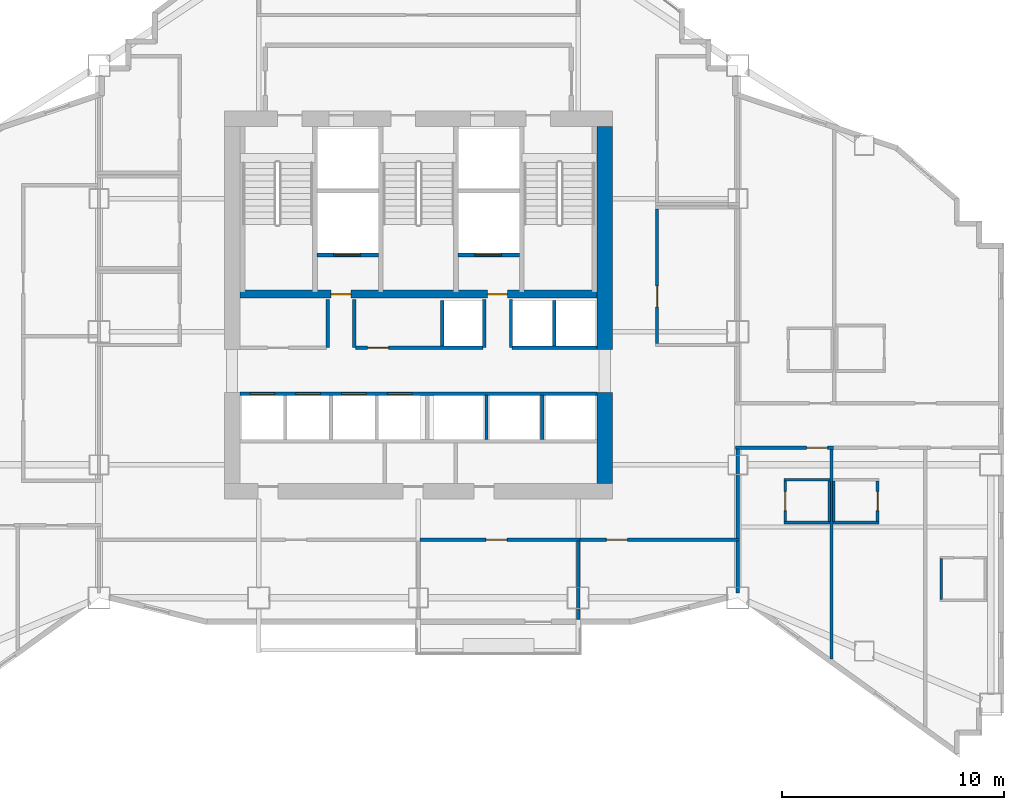
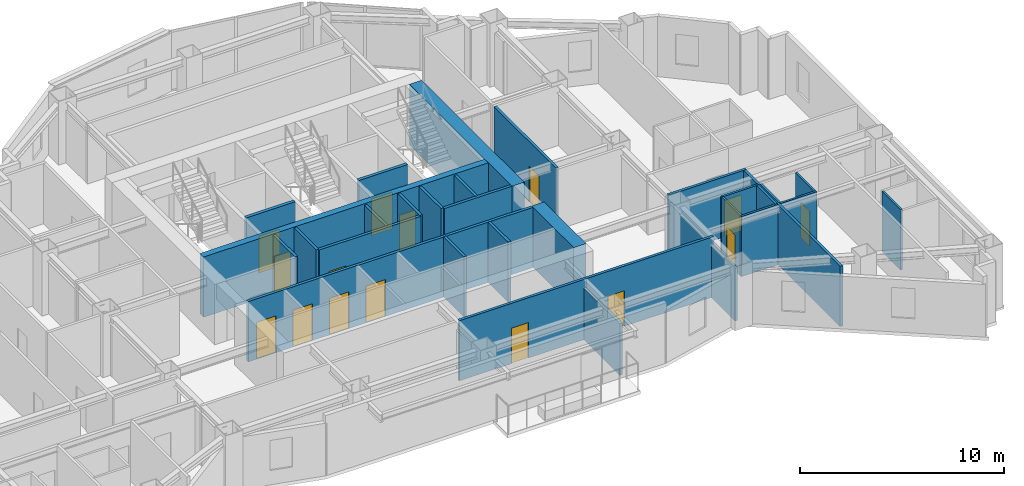
# One storey, part 9 of 14: 32 walls, 15 doors, 15 openings.
"""IFC4 building model written with IfcOpenShell, lengths in metres."""

from ifc_helpers import new_model, si_unit, direction, frame, frame_2d, origin, place, context, subcontext, project, spatial, rectangle, extrude, material, layer, layer_set, type_object, element, fill, save


model = new_model("IFC4")

# Units and contexts
model_context = context("Model", 3, precision=1e-05, world=origin(), true_north=direction((0.0, 1.0)))
body_context = subcontext(model_context, "Body", "Model", "MODEL_VIEW")
ifc_project = project(units=[si_unit("LENGTHUNIT", "METRE"), si_unit("AREAUNIT", "SQUARE_METRE"), si_unit("VOLUMEUNIT", "CUBIC_METRE"), si_unit("PLANEANGLEUNIT", "RADIAN"), si_unit("MASSUNIT", "GRAM", prefix="KILO")], contexts=[model_context])

# Site, building, storey
site_placement = place(None, origin())
site = spatial("IfcSite", under=ifc_project, at=site_placement, CompositionType="ELEMENT")
building_placement = place(site_placement, origin())
building = spatial("IfcBuilding", under=site, at=building_placement, Name="Haolan Belvedere Tower", CompositionType="ELEMENT")
storey_placement = place(building_placement, frame((0.0, 0.0, 141.0)))
storey = spatial("IfcBuildingStorey", under=building, at=storey_placement, Name="L35", CompositionType="ELEMENT", Elevation=141.0)

# Walls
ifc_material_1 = material(Name="Concrete C60/75", Category="concrete")
ifc_layer_1 = layer(ifc_material_1, 0.699951171875, Name="Concrete C60/75")
ifc_layer_set_1 = layer_set([ifc_layer_1], Name="Concrete C60/75")
wall_type_1 = type_object("IfcWallType", Name="WL-CORE-700", PredefinedType="SHEAR", material=ifc_layer_set_1)
wall_1_placement = place(storey_placement, frame((46.800048828125, 26.75, 0.0), z_axis=(0.0, 0.0, 1.0), x_axis=(0.0, 1.0, 0.0)))
element("IfcWall", 1, at=wall_1_placement, inside=storey, type_object=wall_type_1, Name="L35 central core shear wall ES", PredefinedType="SHEAR", context=body_context, shape_type="SweptSolid", body=[
    extrude(rectangle(XDim=4.10009765625, YDim=0.699951171875, at=frame_2d((2.050048828125, 0.0))), origin(), (0.0, 0.0, 1.0), 3.60009765625),
])
wall_2_placement = place(storey_placement, frame((46.800048828125, 32.800048828125, 0.0), z_axis=(0.0, 0.0, 1.0), x_axis=(0.0, 1.0, 0.0)))
element("IfcWall", 2, at=wall_2_placement, inside=storey, type_object=wall_type_1, Name="L35 central core shear wall EN", PredefinedType="SHEAR", context=body_context, shape_type="SweptSolid", body=[
    extrude(rectangle(XDim=10.050048828125, YDim=0.699951171875, at=frame_2d((5.02490234375, 0.0))), origin(), (0.0, 0.0, 1.0), 3.60009765625),
])

# Wall, opening, door
ifc_material_2 = material(Name="Double gypsum acoustic stud partition", Category="masonry")
ifc_layer_2 = layer(ifc_material_2, 0.14990234375, Name="Double gypsum acoustic stud partition")
ifc_layer_set_2 = layer_set([ifc_layer_2], Name="Double gypsum acoustic stud partition")
wall_type_2 = type_object("IfcWallType", Name="WL-PART-150", PredefinedType="PARTITIONING", material=ifc_layer_set_2)
wall_3_placement = place(storey_placement, frame((49.159912109375, 33.06005859375, 0.0), z_axis=(0.0, 0.0, 1.0), x_axis=(0.0, 1.0, 0.0)))
wall_3 = element("IfcWall", 3, at=wall_3_placement, inside=storey, type_object=wall_type_2, Name="L35 interior partition IW-L35-HSK-W", PredefinedType="PARTITIONING", context=body_context, shape_type="SweptSolid", body=[
    extrude(rectangle(XDim=6.079833984375, YDim=0.14990234375, at=frame_2d((3.0400390625, 0.0))), origin(), (0.0, 0.0, 1.0), 3.60009765625),
])
opening_1_placement = place(wall_3_placement, frame((1.659912109375, 0.0, 0.0)))
opening_1 = element("IfcOpeningElement", 4, at=opening_1_placement, cuts=wall_3, Name="Opening ID-03", PredefinedType="OPENING", context=body_context, shape_type="SweptSolid", body=[
    extrude(rectangle(XDim=0.949951171875, YDim=2.1201171875, at=frame_2d((0.47509765625, 1.06005859375))), frame((0.0, 0.0849609375, 0.0), z_axis=(0.0, -1.0, 0.0), x_axis=(1.0, 0.0, 0.0)), (0.0, 0.0, 1.0), 0.169921875),
])
ifc_material_3 = material(Name="Painted solid-core timber", Category="wood")
door_type_1 = type_object("IfcDoorType", Name="DR-INT-950", OperationType="NOTDEFINED", PredefinedType="DOOR", material=ifc_material_3)
door_1_placement = place(opening_1_placement, origin())
door_1 = element("IfcDoor", 5, at=door_1_placement, inside=storey, type_object=door_type_1, Name="L35 door ID-L35-HSK", OperationType="SINGLE_SWING_RIGHT", OverallHeight=2.1201171875, OverallWidth=0.949951171875, PredefinedType="DOOR", context=body_context, shape_type="SweptSolid", body=[
    extrude(rectangle(XDim=0.949951171875, YDim=2.1201171875, at=frame_2d((0.47509765625, 1.06005859375))), frame((0.0, 0.02490234375, 0.0), z_axis=(0.0, -1.0, 0.0), x_axis=(1.0, 0.0, 0.0)), (0.0, 0.0, 1.0), 0.050048828125),
])
fill(opening_1, door_1)

wall_4_placement = place(storey_placement, frame((38.48193359375, 24.219970703125, 0.0), z_axis=(0.0, 0.0, 1.0), x_axis=(1.0, 0.0, 0.0)))
wall_4 = element("IfcWall", 6, at=wall_4_placement, inside=storey, type_object=wall_type_2, Name="L35 interior partition IW-L35-KS2-N", PredefinedType="PARTITIONING", context=body_context, shape_type="SweptSolid", body=[
    extrude(rectangle(XDim=7.197998046875, YDim=0.14990234375, at=frame_2d((3.59912109375, 0.0))), origin(), (0.0, 0.0, 1.0), 3.60009765625),
])
opening_2_placement = place(wall_4_placement, frame((3.912841796875, 0.0, 0.0), z_axis=(0.0, 0.0, 1.0), x_axis=(-1.0, 0.0, 0.0)))
opening_2 = element("IfcOpeningElement", 7, at=opening_2_placement, cuts=wall_4, Name="Opening ID-03", PredefinedType="OPENING", context=body_context, shape_type="SweptSolid", body=[
    extrude(rectangle(XDim=0.949951171875, YDim=2.1201171875, at=frame_2d((0.47509765625, 1.06005859375))), frame((0.0, 0.0849609375, 0.0), z_axis=(0.0, -1.0, 0.0), x_axis=(1.0, 0.0, 0.0)), (0.0, 0.0, 1.0), 0.169921875),
])
door_2_placement = place(opening_2_placement, origin())
door_2 = element("IfcDoor", 8, at=door_2_placement, inside=storey, type_object=door_type_1, Name="L35 door ID-L35-KS2", OperationType="SINGLE_SWING_RIGHT", OverallHeight=2.1201171875, OverallWidth=0.949951171875, PredefinedType="DOOR", context=body_context, shape_type="SweptSolid", body=[
    extrude(rectangle(XDim=0.949951171875, YDim=2.1201171875, at=frame_2d((0.47509765625, 1.06005859375))), frame((0.0, 0.02490234375, 0.0), z_axis=(0.0, -1.0, 0.0), x_axis=(1.0, 0.0, 0.0)), (0.0, 0.0, 1.0), 0.050048828125),
])
fill(opening_2, door_2)

# Wall
wall_5_placement = place(storey_placement, frame((45.60009765625, 20.625, 0.0), z_axis=(0.0, 0.0, 1.0), x_axis=(0.0, 1.0, 0.0)))
element("IfcWall", 9, at=wall_5_placement, inside=storey, type_object=wall_type_2, Name="L35 interior partition IW-L35-KS2-E", PredefinedType="PARTITIONING", context=body_context, shape_type="SweptSolid", body=[
    extrude(rectangle(XDim=3.534912109375, YDim=0.14990234375, at=frame_2d((1.767578125, 0.0))), origin(), (0.0, 0.0, 1.0), 3.0849609375),
])

# Wall, opening, door
wall_6_placement = place(storey_placement, frame((45.681884765625, 24.219970703125, 0.0), z_axis=(0.0, 0.0, 1.0), x_axis=(1.0, 0.0, 0.0)))
wall_6 = element("IfcWall", 10, at=wall_6_placement, inside=storey, type_object=wall_type_2, Name="L35 interior partition IW-L35-KS3-N", PredefinedType="PARTITIONING", context=body_context, shape_type="SweptSolid", body=[
    extrude(rectangle(XDim=7.197998046875, YDim=0.14990234375, at=frame_2d((3.59912109375, 0.0))), origin(), (0.0, 0.0, 1.0), 3.60009765625),
])
opening_3_placement = place(wall_6_placement, frame((2.14306640625, 0.0, 0.0), z_axis=(0.0, 0.0, 1.0), x_axis=(-1.0, 0.0, 0.0)))
opening_3 = element("IfcOpeningElement", 11, at=opening_3_placement, cuts=wall_6, Name="Opening ID-03", PredefinedType="OPENING", context=body_context, shape_type="SweptSolid", body=[
    extrude(rectangle(XDim=0.949951171875, YDim=2.1201171875, at=frame_2d((0.47509765625, 1.06005859375))), frame((0.0, 0.0849609375, 0.0), z_axis=(0.0, -1.0, 0.0), x_axis=(1.0, 0.0, 0.0)), (0.0, 0.0, 1.0), 0.169921875),
])
door_3_placement = place(opening_3_placement, origin())
door_3 = element("IfcDoor", 12, at=door_3_placement, inside=storey, type_object=door_type_1, Name="L35 door ID-L35-KS3", OperationType="SINGLE_SWING_LEFT", OverallHeight=2.1201171875, OverallWidth=0.949951171875, PredefinedType="DOOR", context=body_context, shape_type="SweptSolid", body=[
    extrude(rectangle(XDim=0.949951171875, YDim=2.1201171875, at=frame_2d((0.47509765625, 1.06005859375))), frame((0.0, 0.02490234375, 0.0), z_axis=(0.0, -1.0, 0.0), x_axis=(1.0, 0.0, 0.0)), (0.0, 0.0, 1.0), 0.050048828125),
])
fill(opening_3, door_3)

# Wall
wall_7_placement = place(storey_placement, frame((52.800048828125, 21.818603515625, 0.0), z_axis=(0.0, 0.0, 1.0), x_axis=(0.0, 1.0, 0.0)))
element("IfcWall", 13, at=wall_7_placement, inside=storey, type_object=wall_type_2, Name="L35 interior partition IW-L35-KS3-E", PredefinedType="PARTITIONING", context=body_context, shape_type="SweptSolid", body=[
    extrude(rectangle(XDim=2.34130859375, YDim=0.14990234375, at=frame_2d((1.170654296875, 0.0))), origin(), (0.0, 0.0, 1.0), 3.14501953125),
])

# Wall, opening, door
wall_8_placement = place(storey_placement, frame((52.699951171875, 28.3701171875, 0.0), z_axis=(0.0, 0.0, 1.0), x_axis=(1.0, 0.0, 0.0)))
wall_8 = element("IfcWall", 14, at=wall_8_placement, inside=storey, type_object=wall_type_2, Name="L35 interior partition IW-L35-T4S1-N", PredefinedType="PARTITIONING", context=body_context, shape_type="SweptSolid", body=[
    extrude(rectangle(XDim=4.420166015625, YDim=0.14990234375, at=frame_2d((2.2099609375, 0.0))), origin(), (0.0, 0.0, 1.0), 3.60009765625),
])
opening_4_placement = place(wall_8_placement, frame((4.1474609375, 0.0, 0.0), z_axis=(0.0, 0.0, 1.0), x_axis=(-1.0, 0.0, 0.0)))
opening_4 = element("IfcOpeningElement", 15, at=opening_4_placement, cuts=wall_8, Name="Opening ID-02", PredefinedType="OPENING", context=body_context, shape_type="SweptSolid", body=[
    extrude(rectangle(XDim=0.949951171875, YDim=2.14990234375, at=frame_2d((0.47509765625, 1.074951171875))), frame((0.0, 0.0849609375, 0.0), z_axis=(0.0, -1.0, 0.0), x_axis=(1.0, 0.0, 0.0)), (0.0, 0.0, 1.0), 0.169921875),
])
ifc_material_4 = material(Name="Acoustic oak veneer fire-rated timber", Category="wood")
door_type_2 = type_object("IfcDoorType", Name="DR-GUEST-950", OperationType="NOTDEFINED", PredefinedType="DOOR", material=ifc_material_4)
door_4_placement = place(opening_4_placement, origin())
door_4 = element("IfcDoor", 16, at=door_4_placement, inside=storey, type_object=door_type_2, Name="L35 door ID-L35-T4S1-ENT", OperationType="SINGLE_SWING_RIGHT", OverallHeight=2.14990234375, OverallWidth=0.949951171875, PredefinedType="DOOR", context=body_context, shape_type="SweptSolid", body=[
    extrude(rectangle(XDim=0.949951171875, YDim=2.14990234375, at=frame_2d((0.47509765625, 1.074951171875))), frame((0.0, 0.02490234375, 0.0), z_axis=(0.0, -1.0, 0.0), x_axis=(1.0, 0.0, 0.0)), (0.0, 0.0, 1.0), 0.050048828125),
])
fill(opening_4, door_4)

# Walls
wall_9_placement = place(storey_placement, frame((52.800048828125, 24.280029296875, 0.0), z_axis=(0.0, 0.0, 1.0), x_axis=(0.0, 1.0, 0.0)))
element("IfcWall", 17, at=wall_9_placement, inside=storey, type_object=wall_type_2, Name="L35 interior partition IW-L35-T4S1-W", PredefinedType="PARTITIONING", context=body_context, shape_type="SweptSolid", body=[
    extrude(rectangle(XDim=4.030029296875, YDim=0.14990234375, at=frame_2d((2.01513671875, 0.0))), origin(), (0.0, 0.0, 1.0), 3.14501953125),
])
wall_10_placement = place(storey_placement, frame((57.02001953125, 18.8388671875, 0.0), z_axis=(0.0, 0.0, 1.0), x_axis=(0.0, 1.0, 0.0)))
element("IfcWall", 18, at=wall_10_placement, inside=storey, type_object=wall_type_2, Name="L35 interior partition IW-L35-T4S1-E", PredefinedType="PARTITIONING", context=body_context, shape_type="SweptSolid", body=[
    extrude(rectangle(XDim=9.47119140625, YDim=0.14990234375, at=frame_2d((4.735595703125, 0.0))), origin(), (0.0, 0.0, 1.0), 3.60009765625),
])
ifc_material_5 = material(Name="Gypsum fire shaftwall assembly", Category="masonry")
ifc_layer_3 = layer(ifc_material_5, 0.1650390625, Name="Gypsum fire shaftwall assembly")
ifc_layer_set_3 = layer_set([ifc_layer_3], Name="Gypsum fire shaftwall assembly")
wall_type_3 = type_object("IfcWallType", Name="WL-SHAFT-160", PredefinedType="SOLIDWALL", material=ifc_layer_set_3)
for number, where, z_axis, x_axis, name in (
    (19, (34.31005859375, 32.8798828125, 0.0), (0.0, 0.0, 1.0), (0.0, 1.0, 0.0), "L35 interior partition IW-L35-SVP-W-SV1"),
    (20, (35.510009765625, 32.8798828125, 0.0), (0.0, 0.0, 1.0), (0.0, 1.0, 0.0), "L35 interior partition IW-L35-SVP-E-SV1"),
    (21, (41.3701171875, 32.8798828125, 0.0), (0.0, 0.0, 1.0), (0.0, 1.0, 0.0), "L35 interior partition IW-L35-SVP-W-SV2"),
    (22, (42.570068359375, 32.8798828125, 0.0), (0.0, 0.0, 1.0), (0.0, 1.0, 0.0), "L35 interior partition IW-L35-SVP-E-SV2"),
):
    element("IfcWall", number, at=place(storey_placement, frame(where, z_axis=z_axis, x_axis=x_axis)), inside=storey, type_object=wall_type_3, Name=name, PredefinedType="SOLIDWALL", context=body_context, shape_type="SweptSolid", body=[
        extrude(rectangle(XDim=2.170166015625, YDim=0.14990234375, at=frame_2d((1.0849609375, 0.0))), origin(), (0.0, 0.0, 1.0), 3.60009765625),
    ])

# Wall, opening, door
wall_11_placement = place(storey_placement, frame((35.570068359375, 32.8798828125, 0.0), z_axis=(0.0, 0.0, 1.0), x_axis=(1.0, 0.0, 0.0)))
wall_11 = element("IfcWall", 23, at=wall_11_placement, inside=storey, type_object=wall_type_3, Name="L35 interior partition IW-L35-ROW-PN2", PredefinedType="SOLIDWALL", context=body_context, shape_type="SweptSolid", body=[
    extrude(rectangle(XDim=5.739990234375, YDim=0.159912109375, at=frame_2d((2.8701171875, 0.0))), origin(), (0.0, 0.0, 1.0), 3.60009765625),
])
opening_5_placement = place(wall_11_placement, frame((1.489990234375, 0.0, 0.0), z_axis=(0.0, 0.0, 1.0), x_axis=(-1.0, 0.0, 0.0)))
opening_5 = element("IfcOpeningElement", 24, at=opening_5_placement, cuts=wall_11, Name="Opening ID-03", PredefinedType="OPENING", context=body_context, shape_type="SweptSolid", body=[
    extrude(rectangle(XDim=0.949951171875, YDim=2.1201171875, at=frame_2d((0.47509765625, 1.06005859375))), frame((0.0, 0.08984375, 0.0), z_axis=(0.0, -1.0, 0.0), x_axis=(1.0, 0.0, 0.0)), (0.0, 0.0, 1.0), 0.179931640625),
])
door_5_placement = place(opening_5_placement, origin())
door_5 = element("IfcDoor", 25, at=door_5_placement, inside=storey, type_object=door_type_1, Name="L35 door ID-L35-CD-RPLE", OperationType="SINGLE_SWING_RIGHT", OverallHeight=2.1201171875, OverallWidth=0.949951171875, PredefinedType="DOOR", context=body_context, shape_type="SweptSolid", body=[
    extrude(rectangle(XDim=0.949951171875, YDim=2.1201171875, at=frame_2d((0.47509765625, 1.06005859375))), frame((0.0, 0.02490234375, 0.0), z_axis=(0.0, -1.0, 0.0), x_axis=(1.0, 0.0, 0.0)), (0.0, 0.0, 1.0), 0.050048828125),
])
fill(opening_5, door_5)

# Walls
wall_12_placement = place(storey_placement, frame((42.6298828125, 32.8798828125, 0.0), z_axis=(0.0, 0.0, 1.0), x_axis=(1.0, 0.0, 0.0)))
element("IfcWall", 26, at=wall_12_placement, inside=storey, type_object=wall_type_3, Name="L35 interior partition IW-L35-ROW-PN3", PredefinedType="SOLIDWALL", context=body_context, shape_type="SweptSolid", body=[
    extrude(rectangle(XDim=3.820068359375, YDim=0.159912109375, at=frame_2d((1.91015625, 0.0))), origin(), (0.0, 0.0, 1.0), 3.60009765625),
])
for number, where, z_axis, x_axis, name in (
    (27, (39.469970703125, 32.949951171875, 0.0), (0.0, 0.0, 1.0), (0.0, 1.0, 0.0), "L35 interior partition IW-L35-DIV-PL4R"),
    (28, (44.530029296875, 32.949951171875, 0.0), (0.0, 0.0, 1.0), (0.0, 1.0, 0.0), "L35 interior partition IW-L35-DIV-PH2"),
):
    element("IfcWall", number, at=place(storey_placement, frame(where, z_axis=z_axis, x_axis=x_axis)), inside=storey, type_object=wall_type_3, Name=name, PredefinedType="SOLIDWALL", context=body_context, shape_type="SweptSolid", body=[
        extrude(rectangle(XDim=2.050048828125, YDim=0.14990234375, at=frame_2d((1.02490234375, 0.0))), origin(), (0.0, 0.0, 1.0), 3.60009765625),
    ])

# Wall, openings, doors
wall_13_placement = place(storey_placement, frame((30.35009765625, 30.800048828125, 0.0), z_axis=(0.0, 0.0, 1.0), x_axis=(1.0, 0.0, 0.0)))
wall_13 = element("IfcWall", 29, at=wall_13_placement, inside=storey, type_object=wall_type_3, Name="L35 interior partition IW-L35-ROW-PS", PredefinedType="SOLIDWALL", context=body_context, shape_type="SweptSolid", body=[
    extrude(rectangle(XDim=16.099853515625, YDim=0.159912109375, at=frame_2d((8.0498046875, 0.0))), origin(), (0.0, 0.0, 1.0), 3.60009765625),
])
opening_6_placement = place(wall_13_placement, frame((0.469970703125, 0.0, 0.0)))
opening_6 = element("IfcOpeningElement", 30, at=opening_6_placement, cuts=wall_13, Name="Opening LD-01", PredefinedType="OPENING", context=body_context, shape_type="SweptSolid", body=[
    extrude(rectangle(XDim=1.10009765625, YDim=2.199951171875, at=frame_2d((0.550048828125, 1.10009765625))), frame((0.0, 0.08984375, 0.0), z_axis=(0.0, -1.0, 0.0), x_axis=(1.0, 0.0, 0.0)), (0.0, 0.0, 1.0), 0.179931640625),
])
opening_7_placement = place(wall_13_placement, frame((2.530029296875, 0.0, 0.0)))
opening_7 = element("IfcOpeningElement", 31, at=opening_7_placement, cuts=wall_13, Name="Opening LD-01", PredefinedType="OPENING", context=body_context, shape_type="SweptSolid", body=[
    extrude(rectangle(XDim=1.10009765625, YDim=2.199951171875, at=frame_2d((0.550048828125, 1.10009765625))), frame((0.0, 0.08984375, 0.0), z_axis=(0.0, -1.0, 0.0), x_axis=(1.0, 0.0, 0.0)), (0.0, 0.0, 1.0), 0.179931640625),
])
opening_8_placement = place(wall_13_placement, frame((4.590087890625, 0.0, 0.0)))
opening_8 = element("IfcOpeningElement", 32, at=opening_8_placement, cuts=wall_13, Name="Opening LD-01", PredefinedType="OPENING", context=body_context, shape_type="SweptSolid", body=[
    extrude(rectangle(XDim=1.10009765625, YDim=2.199951171875, at=frame_2d((0.550048828125, 1.10009765625))), frame((0.0, 0.08984375, 0.0), z_axis=(0.0, -1.0, 0.0), x_axis=(1.0, 0.0, 0.0)), (0.0, 0.0, 1.0), 0.179931640625),
])
opening_9_placement = place(wall_13_placement, frame((6.64990234375, 0.0, 0.0)))
opening_9 = element("IfcOpeningElement", 33, at=opening_9_placement, cuts=wall_13, Name="Opening LD-01", PredefinedType="OPENING", context=body_context, shape_type="SweptSolid", body=[
    extrude(rectangle(XDim=1.10009765625, YDim=2.199951171875, at=frame_2d((0.550048828125, 1.10009765625))), frame((0.0, 0.08984375, 0.0), z_axis=(0.0, -1.0, 0.0), x_axis=(1.0, 0.0, 0.0)), (0.0, 0.0, 1.0), 0.179931640625),
])
ifc_material_6 = material(Name="Brushed champagne stainless steel 316L", Category="steel")
door_type_3 = type_object("IfcDoorType", Name="DR-LIFT-1100", OperationType="SLIDING_TO_LEFT", PredefinedType="DOOR", material=ifc_material_6)
door_6_placement = place(opening_6_placement, origin())
door_6 = element("IfcDoor", 34, at=door_6_placement, inside=storey, type_object=door_type_3, Name="L35 door ID-L35-LD-PM1", OperationType="SLIDING_TO_LEFT", OverallHeight=2.199951171875, OverallWidth=1.10009765625, PredefinedType="DOOR", context=body_context, shape_type="SweptSolid", body=[
    extrude(rectangle(XDim=1.10009765625, YDim=2.199951171875, at=frame_2d((0.550048828125, 1.10009765625))), frame((0.0, 0.02490234375, 0.0), z_axis=(0.0, -1.0, 0.0), x_axis=(1.0, 0.0, 0.0)), (0.0, 0.0, 1.0), 0.050048828125),
])
fill(opening_6, door_6)
door_7_placement = place(opening_7_placement, origin())
door_7 = element("IfcDoor", 35, at=door_7_placement, inside=storey, type_object=door_type_3, Name="L35 door ID-L35-LD-PM2", OperationType="SLIDING_TO_LEFT", OverallHeight=2.199951171875, OverallWidth=1.10009765625, PredefinedType="DOOR", context=body_context, shape_type="SweptSolid", body=[
    extrude(rectangle(XDim=1.10009765625, YDim=2.199951171875, at=frame_2d((0.550048828125, 1.10009765625))), frame((0.0, 0.02490234375, 0.0), z_axis=(0.0, -1.0, 0.0), x_axis=(1.0, 0.0, 0.0)), (0.0, 0.0, 1.0), 0.050048828125),
])
fill(opening_7, door_7)
door_8_placement = place(opening_8_placement, origin())
door_8 = element("IfcDoor", 36, at=door_8_placement, inside=storey, type_object=door_type_3, Name="L35 door ID-L35-LD-PM3", OperationType="SLIDING_TO_LEFT", OverallHeight=2.199951171875, OverallWidth=1.10009765625, PredefinedType="DOOR", context=body_context, shape_type="SweptSolid", body=[
    extrude(rectangle(XDim=1.10009765625, YDim=2.199951171875, at=frame_2d((0.550048828125, 1.10009765625))), frame((0.0, 0.02490234375, 0.0), z_axis=(0.0, -1.0, 0.0), x_axis=(1.0, 0.0, 0.0)), (0.0, 0.0, 1.0), 0.050048828125),
])
fill(opening_8, door_8)
door_9_placement = place(opening_9_placement, origin())
door_9 = element("IfcDoor", 37, at=door_9_placement, inside=storey, type_object=door_type_3, Name="L35 door ID-L35-LD-PM4", OperationType="SLIDING_TO_LEFT", OverallHeight=2.199951171875, OverallWidth=1.10009765625, PredefinedType="DOOR", context=body_context, shape_type="SweptSolid", body=[
    extrude(rectangle(XDim=1.10009765625, YDim=2.199951171875, at=frame_2d((0.550048828125, 1.10009765625))), frame((0.0, 0.02490234375, 0.0), z_axis=(0.0, -1.0, 0.0), x_axis=(1.0, 0.0, 0.0)), (0.0, 0.0, 1.0), 0.050048828125),
])
fill(opening_9, door_9)

# Walls
for number, where, z_axis, x_axis, name in (
    (38, (41.469970703125, 28.75, 0.0), (0.0, 0.0, 1.0), (0.0, 1.0, 0.0), "L35 interior partition IW-L35-DIV-OB1"),
    (39, (43.97998046875, 28.75, 0.0), (0.0, 0.0, 1.0), (0.0, 1.0, 0.0), "L35 interior partition IW-L35-DIV-OB2"),
):
    element("IfcWall", number, at=place(storey_placement, frame(where, z_axis=z_axis, x_axis=x_axis)), inside=storey, type_object=wall_type_3, Name=name, PredefinedType="SOLIDWALL", context=body_context, shape_type="SweptSolid", body=[
        extrude(rectangle(XDim=1.985107421875, YDim=0.14990234375, at=frame_2d((0.99267578125, 0.0))), origin(), (0.0, 0.0, 1.0), 3.60009765625),
    ])

# Wall, opening, door
ifc_material_7 = material(Name="Precast concrete C40/50", Category="concrete")
ifc_layer_4 = layer(ifc_material_7, 0.179931640625, Name="Precast concrete C40/50")
ifc_layer_set_4 = layer_set([ifc_layer_4], Name="Precast concrete C40/50")
wall_type_4 = type_object("IfcWallType", Name="WL-SHAFT-180", PredefinedType="SOLIDWALL", material=ifc_layer_set_4)
wall_14_placement = place(storey_placement, frame((33.8349609375, 37.050048828125, 0.0), z_axis=(0.0, 0.0, 1.0), x_axis=(1.0, 0.0, 0.0)))
wall_14 = element("IfcWall", 40, at=wall_14_placement, inside=storey, type_object=wall_type_4, Name="L35 interior partition IW-L35-SV1-S", PredefinedType="SOLIDWALL", context=body_context, shape_type="SweptSolid", body=[
    extrude(rectangle(XDim=2.77001953125, YDim=0.179931640625, at=frame_2d((1.385009765625, 0.0))), origin(), (0.0, 0.0, 1.0), 3.60009765625),
])
opening_10_placement = place(wall_14_placement, frame((1.945068359375, 0.0, 0.0), z_axis=(0.0, 0.0, 1.0), x_axis=(-1.0, 0.0, 0.0)))
opening_10 = element("IfcOpeningElement", 41, at=opening_10_placement, cuts=wall_14, Name="Opening LD-02", PredefinedType="OPENING", context=body_context, shape_type="SweptSolid", body=[
    extrude(rectangle(XDim=1.199951171875, YDim=2.199951171875, at=frame_2d((0.60009765625, 1.10009765625))), frame((0.0, 0.099853515625, 0.0), z_axis=(0.0, -1.0, 0.0), x_axis=(1.0, 0.0, 0.0)), (0.0, 0.0, 1.0), 0.199951171875),
])
door_type_4 = type_object("IfcDoorType", Name="DR-LIFT-1200", OperationType="SLIDING_TO_RIGHT", PredefinedType="DOOR", material=ifc_material_6)
door_10_placement = place(opening_10_placement, origin())
door_10 = element("IfcDoor", 42, at=door_10_placement, inside=storey, type_object=door_type_4, Name="L35 door ID-L35-LD-SV1", OperationType="SLIDING_TO_RIGHT", OverallHeight=2.199951171875, OverallWidth=1.199951171875, PredefinedType="DOOR", context=body_context, shape_type="SweptSolid", body=[
    extrude(rectangle(XDim=1.199951171875, YDim=2.199951171875, at=frame_2d((0.60009765625, 1.10009765625))), frame((0.0, 0.02490234375, 0.0), z_axis=(0.0, -1.0, 0.0), x_axis=(1.0, 0.0, 0.0)), (0.0, 0.0, 1.0), 0.050048828125),
])
fill(opening_10, door_10)

wall_15_placement = place(storey_placement, frame((40.195068359375, 37.050048828125, 0.0), z_axis=(0.0, 0.0, 1.0), x_axis=(1.0, 0.0, 0.0)))
wall_15 = element("IfcWall", 43, at=wall_15_placement, inside=storey, type_object=wall_type_4, Name="L35 interior partition IW-L35-SV2-S", PredefinedType="SOLIDWALL", context=body_context, shape_type="SweptSolid", body=[
    extrude(rectangle(XDim=2.77001953125, YDim=0.179931640625, at=frame_2d((1.385009765625, 0.0))), origin(), (0.0, 0.0, 1.0), 3.60009765625),
])
opening_11_placement = place(wall_15_placement, frame((1.945068359375, 0.0, 0.0), z_axis=(0.0, 0.0, 1.0), x_axis=(-1.0, 0.0, 0.0)))
opening_11 = element("IfcOpeningElement", 44, at=opening_11_placement, cuts=wall_15, Name="Opening LD-02", PredefinedType="OPENING", context=body_context, shape_type="SweptSolid", body=[
    extrude(rectangle(XDim=1.199951171875, YDim=2.199951171875, at=frame_2d((0.60009765625, 1.10009765625))), frame((0.0, 0.099853515625, 0.0), z_axis=(0.0, -1.0, 0.0), x_axis=(1.0, 0.0, 0.0)), (0.0, 0.0, 1.0), 0.199951171875),
])
door_11_placement = place(opening_11_placement, origin())
door_11 = element("IfcDoor", 45, at=door_11_placement, inside=storey, type_object=door_type_4, Name="L35 door ID-L35-LD-SV2", OperationType="SLIDING_TO_RIGHT", OverallHeight=2.199951171875, OverallWidth=1.199951171875, PredefinedType="DOOR", context=body_context, shape_type="SweptSolid", body=[
    extrude(rectangle(XDim=1.199951171875, YDim=2.199951171875, at=frame_2d((0.60009765625, 1.10009765625))), frame((0.0, 0.02490234375, 0.0), z_axis=(0.0, -1.0, 0.0), x_axis=(1.0, 0.0, 0.0)), (0.0, 0.0, 1.0), 0.050048828125),
])
fill(opening_11, door_11)

# Wall, openings, doors
ifc_layer_5 = layer(ifc_material_1, 0.360107421875, Name="Concrete C60/75")
ifc_layer_set_5 = layer_set([ifc_layer_5], Name="Concrete C60/75")
wall_type_5 = type_object("IfcWallType", Name="WL-WEB-350", PredefinedType="SHEAR", material=ifc_layer_set_5)
wall_16_placement = place(storey_placement, frame((30.35009765625, 35.2900390625, 0.0), z_axis=(0.0, 0.0, 1.0), x_axis=(1.0, 0.0, 0.0)))
wall_16 = element("IfcWall", 46, at=wall_16_placement, inside=storey, type_object=wall_type_5, Name="L35 central core internal shear web", PredefinedType="SHEAR", context=body_context, shape_type="SweptSolid", body=[
    extrude(rectangle(XDim=16.099853515625, YDim=0.360107421875, at=frame_2d((8.0498046875, 0.0))), origin(), (0.0, 0.0, 1.0), 3.60009765625),
])
opening_12_placement = place(wall_16_placement, frame((5.0, 0.0, 0.0), z_axis=(0.0, 0.0, 1.0), x_axis=(-1.0, 0.0, 0.0)))
opening_12 = element("IfcOpeningElement", 47, at=opening_12_placement, cuts=wall_16, Name="Opening FD-05", PredefinedType="OPENING", context=body_context, shape_type="SweptSolid", body=[
    extrude(rectangle(XDim=0.89990234375, YDim=2.10009765625, at=frame_2d((0.449951171875, 1.050048828125))), frame((0.0, 0.18994140625, 0.0), z_axis=(0.0, -1.0, 0.0), x_axis=(1.0, 0.0, 0.0)), (0.0, 0.0, 1.0), 0.380126953125),
])
opening_13_placement = place(wall_16_placement, frame((12.059814453125, 0.0, 0.0), z_axis=(0.0, 0.0, 1.0), x_axis=(-1.0, 0.0, 0.0)))
opening_13 = element("IfcOpeningElement", 48, at=opening_13_placement, cuts=wall_16, Name="Opening FD-05", PredefinedType="OPENING", context=body_context, shape_type="SweptSolid", body=[
    extrude(rectangle(XDim=0.89990234375, YDim=2.10009765625, at=frame_2d((0.449951171875, 1.050048828125))), frame((0.0, 0.18994140625, 0.0), z_axis=(0.0, -1.0, 0.0), x_axis=(1.0, 0.0, 0.0)), (0.0, 0.0, 1.0), 0.380126953125),
])
ifc_material_8 = material(Name="Galvanised fire-rated steel", Category="steel")
door_type_5 = type_object("IfcDoorType", Name="DR-FD60-900", OperationType="NOTDEFINED", PredefinedType="DOOR", material=ifc_material_8)
door_12_placement = place(opening_12_placement, origin())
door_12 = element("IfcDoor", 49, at=door_12_placement, inside=storey, type_object=door_type_5, Name="L35 door CD-L35-SVL-SV1", OperationType="SINGLE_SWING_RIGHT", OverallHeight=2.10009765625, OverallWidth=0.89990234375, PredefinedType="DOOR", context=body_context, shape_type="SweptSolid", body=[
    extrude(rectangle(XDim=0.89990234375, YDim=2.10009765625, at=frame_2d((0.449951171875, 1.050048828125))), frame((0.0, 0.02490234375, 0.0), z_axis=(0.0, -1.0, 0.0), x_axis=(1.0, 0.0, 0.0)), (0.0, 0.0, 1.0), 0.050048828125),
])
fill(opening_12, door_12)
door_13_placement = place(opening_13_placement, origin())
door_13 = element("IfcDoor", 50, at=door_13_placement, inside=storey, type_object=door_type_5, Name="L35 door CD-L35-SVL-SV2", OperationType="SINGLE_SWING_RIGHT", OverallHeight=2.10009765625, OverallWidth=0.89990234375, PredefinedType="DOOR", context=body_context, shape_type="SweptSolid", body=[
    extrude(rectangle(XDim=0.89990234375, YDim=2.10009765625, at=frame_2d((0.449951171875, 1.050048828125))), frame((0.0, 0.02490234375, 0.0), z_axis=(0.0, -1.0, 0.0), x_axis=(1.0, 0.0, 0.0)), (0.0, 0.0, 1.0), 0.050048828125),
])
fill(opening_13, door_13)

# Walls
ifc_material_9 = material(Name="Moisture-resistant gypsum tile partition", Category="masonry")
ifc_layer_6 = layer(ifc_material_9, 0.1201171875, Name="Moisture-resistant gypsum tile partition")
ifc_layer_set_6 = layer_set([ifc_layer_6], Name="Moisture-resistant gypsum tile partition")
wall_type_6 = type_object("IfcWallType", Name="WL-WET-120", PredefinedType="PARTITIONING", material=ifc_layer_set_6)
for number, where, z_axis, x_axis, name in (
    (51, (54.8798828125, 26.919921875, 0.0), (0.0, 0.0, 1.0), (1.0, 0.0, 0.0), "L35 interior partition IW-L35-T4S1-BN"),
    (52, (54.8798828125, 25.0, 0.0), (0.0, 0.0, 1.0), (1.0, 0.0, 0.0), "L35 interior partition IW-L35-T4S1-BS"),
):
    element("IfcWall", number, at=place(storey_placement, frame(where, z_axis=z_axis, x_axis=x_axis)), inside=storey, type_object=wall_type_6, Name=name, PredefinedType="PARTITIONING", context=body_context, shape_type="SweptSolid", body=[
        extrude(rectangle(XDim=2.080078125, YDim=0.1201171875, at=frame_2d((1.0400390625, 0.0))), origin(), (0.0, 0.0, 1.0), 3.60009765625),
    ])

# Wall, opening, door
wall_17_placement = place(storey_placement, frame((54.93994140625, 25.044921875, 0.0), z_axis=(0.0, 0.0, 1.0), x_axis=(0.0, 1.0, 0.0)))
wall_17 = element("IfcWall", 53, at=wall_17_placement, inside=storey, type_object=wall_type_6, Name="L35 interior partition IW-L35-T4S1-BW", PredefinedType="PARTITIONING", context=body_context, shape_type="SweptSolid", body=[
    extrude(rectangle(XDim=1.830078125, YDim=0.1201171875, at=frame_2d((0.9150390625, 0.0))), origin(), (0.0, 0.0, 1.0), 3.60009765625),
])
opening_14_placement = place(wall_17_placement, frame((1.340087890625, 0.0, 0.0), z_axis=(0.0, 0.0, 1.0), x_axis=(-1.0, 0.0, 0.0)))
opening_14 = element("IfcOpeningElement", 54, at=opening_14_placement, cuts=wall_17, Name="Opening ID-05", PredefinedType="OPENING", context=body_context, shape_type="SweptSolid", body=[
    extrude(rectangle(XDim=0.85009765625, YDim=2.10009765625, at=frame_2d((0.425048828125, 1.050048828125))), frame((0.0, 0.070068359375, 0.0), z_axis=(0.0, -1.0, 0.0), x_axis=(1.0, 0.0, 0.0)), (0.0, 0.0, 1.0), 0.14013671875),
])
ifc_material_10 = material(Name="Moisture-resistant lacquered timber", Category="wood")
door_type_6 = type_object("IfcDoorType", Name="DR-BATH-850", OperationType="NOTDEFINED", PredefinedType="DOOR", material=ifc_material_10)
door_14_placement = place(opening_14_placement, origin())
door_14 = element("IfcDoor", 55, at=door_14_placement, inside=storey, type_object=door_type_6, Name="L35 door ID-L35-T4S1-BATH", OperationType="SINGLE_SWING_LEFT", OverallHeight=2.10009765625, OverallWidth=0.85009765625, PredefinedType="DOOR", context=body_context, shape_type="SweptSolid", body=[
    extrude(rectangle(XDim=0.85009765625, YDim=2.10009765625, at=frame_2d((0.425048828125, 1.050048828125))), frame((0.0, 0.02490234375, 0.0), z_axis=(0.0, -1.0, 0.0), x_axis=(1.0, 0.0, 0.0)), (0.0, 0.0, 1.0), 0.050048828125),
])
fill(opening_14, door_14)

# Walls
wall_18_placement = place(storey_placement, frame((56.919921875, 25.044921875, 0.0), z_axis=(0.0, 0.0, 1.0), x_axis=(0.0, 1.0, 0.0)))
element("IfcWall", 56, at=wall_18_placement, inside=storey, type_object=wall_type_6, Name="L35 interior partition IW-L35-T4S1-BE", PredefinedType="PARTITIONING", context=body_context, shape_type="SweptSolid", body=[
    extrude(rectangle(XDim=1.830078125, YDim=0.1201171875, at=frame_2d((0.9150390625, 0.0))), origin(), (0.0, 0.0, 1.0), 3.60009765625),
])
wall_19_placement = place(storey_placement, frame((57.080078125, 25.0, 0.0), z_axis=(0.0, 0.0, 1.0), x_axis=(1.0, 0.0, 0.0)))
element("IfcWall", 57, at=wall_19_placement, inside=storey, type_object=wall_type_6, Name="L35 interior partition IW-L35-T4S2-BS", PredefinedType="PARTITIONING", context=body_context, shape_type="SweptSolid", body=[
    extrude(rectangle(XDim=2.079833984375, YDim=0.1201171875, at=frame_2d((1.0400390625, 0.0))), origin(), (0.0, 0.0, 1.0), 3.60009765625),
])
wall_20_placement = place(storey_placement, frame((57.1201171875, 25.044921875, 0.0), z_axis=(0.0, 0.0, 1.0), x_axis=(0.0, 1.0, 0.0)))
element("IfcWall", 58, at=wall_20_placement, inside=storey, type_object=wall_type_6, Name="L35 interior partition IW-L35-T4S2-BW", PredefinedType="PARTITIONING", context=body_context, shape_type="SweptSolid", body=[
    extrude(rectangle(XDim=1.830078125, YDim=0.1201171875, at=frame_2d((0.9150390625, 0.0))), origin(), (0.0, 0.0, 1.0), 3.60009765625),
])

# Wall, opening, door
wall_21_placement = place(storey_placement, frame((59.10009765625, 25.044921875, 0.0), z_axis=(0.0, 0.0, 1.0), x_axis=(0.0, 1.0, 0.0)))
wall_21 = element("IfcWall", 59, at=wall_21_placement, inside=storey, type_object=wall_type_6, Name="L35 interior partition IW-L35-T4S2-BE", PredefinedType="PARTITIONING", context=body_context, shape_type="SweptSolid", body=[
    extrude(rectangle(XDim=1.830078125, YDim=0.1201171875, at=frame_2d((0.9150390625, 0.0))), origin(), (0.0, 0.0, 1.0), 3.60009765625),
])
opening_15_placement = place(wall_21_placement, frame((0.489990234375, 0.0, 0.0)))
opening_15 = element("IfcOpeningElement", 60, at=opening_15_placement, cuts=wall_21, Name="Opening ID-05", PredefinedType="OPENING", context=body_context, shape_type="SweptSolid", body=[
    extrude(rectangle(XDim=0.85009765625, YDim=2.10009765625, at=frame_2d((0.425048828125, 1.050048828125))), frame((0.0, 0.070068359375, 0.0), z_axis=(0.0, -1.0, 0.0), x_axis=(1.0, 0.0, 0.0)), (0.0, 0.0, 1.0), 0.14013671875),
])
door_15_placement = place(opening_15_placement, origin())
door_15 = element("IfcDoor", 61, at=door_15_placement, inside=storey, type_object=door_type_6, Name="L35 door ID-L35-T4S2-BATH", OperationType="SINGLE_SWING_RIGHT", OverallHeight=2.10009765625, OverallWidth=0.85009765625, PredefinedType="DOOR", context=body_context, shape_type="SweptSolid", body=[
    extrude(rectangle(XDim=0.85009765625, YDim=2.10009765625, at=frame_2d((0.425048828125, 1.050048828125))), frame((0.0, 0.02490234375, 0.0), z_axis=(0.0, -1.0, 0.0), x_axis=(1.0, 0.0, 0.0)), (0.0, 0.0, 1.0), 0.050048828125),
])
fill(opening_15, door_15)

# Wall
wall_22_placement = place(storey_placement, frame((61.97705078125, 21.534912109375, 0.0), z_axis=(0.0, 0.0, 1.0), x_axis=(0.0, 1.0, 0.0)))
element("IfcWall", 62, at=wall_22_placement, inside=storey, type_object=wall_type_6, Name="L35 interior partition IW-L35-T4S3-BW", PredefinedType="PARTITIONING", context=body_context, shape_type="SweptSolid", body=[
    extrude(rectangle(XDim=1.830078125, YDim=0.1201171875, at=frame_2d((0.9150390625, 0.0))), origin(), (0.0, 0.0, 1.0), 3.60009765625),
])

save(model, "model.ifc")
